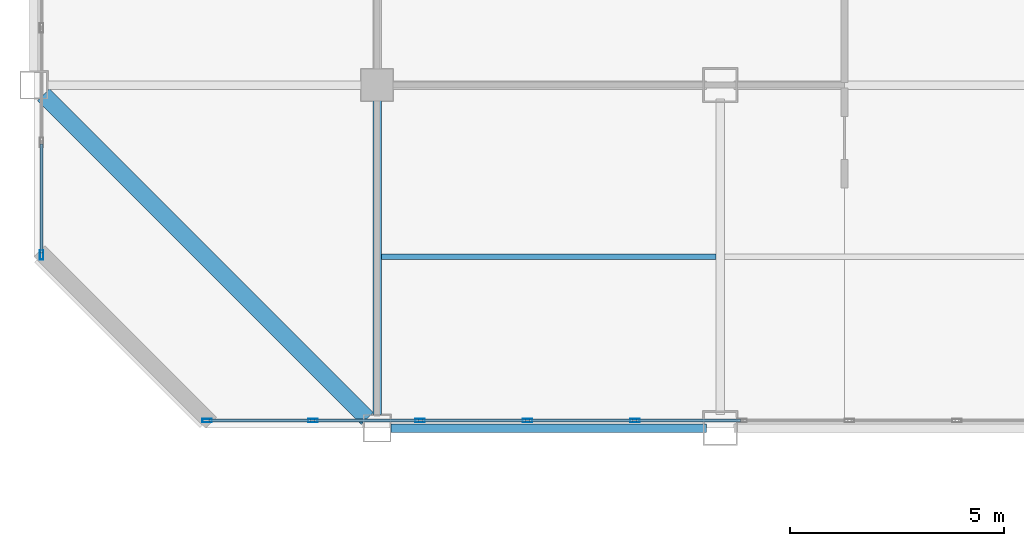
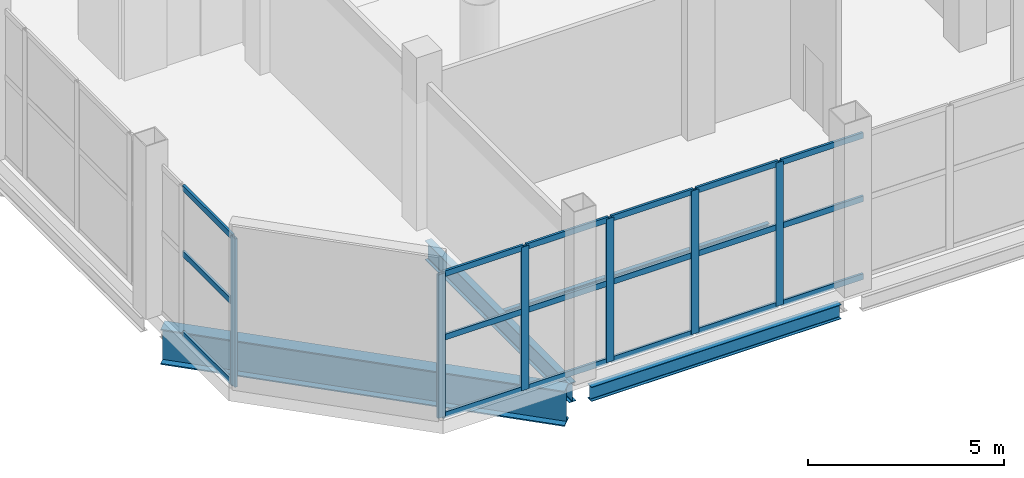
# One storey, part 2 of 17: 24 members, 4 beams, 2 elements without a shape of their own.
"""IFC4 building model written with IfcOpenShell, lengths in metres."""

from ifc_helpers import new_model, si_unit, direction, frame, origin, origin_2d, place, context, subcontext, project, spatial, hollow_rectangle, i_section, extrude, material, layer, layer_set, material_profile, profile_set, type_object, element, aggregate, save


model = new_model("IFC4")

# Units and contexts
model_context = context("Model", 3, precision=1e-05, world=origin(), true_north=direction((0.0, 1.0)))
body_context = subcontext(model_context, "Body", "Model", "MODEL_VIEW")
ifc_project = project(units=[si_unit("LENGTHUNIT", "METRE"), si_unit("AREAUNIT", "SQUARE_METRE"), si_unit("VOLUMEUNIT", "CUBIC_METRE"), si_unit("PLANEANGLEUNIT", "RADIAN"), si_unit("MASSUNIT", "GRAM", prefix="KILO")], contexts=[model_context])

# Site, building, storey
site_placement = place(None, origin())
site = spatial("IfcSite", under=ifc_project, at=site_placement, CompositionType="ELEMENT")
building_placement = place(site_placement, origin())
building = spatial("IfcBuilding", under=site, at=building_placement, Name="Qianrong Seaharbour Tower", CompositionType="ELEMENT")
storey_placement = place(building_placement, frame((0.0, 0.0, 373.0)))
storey = spatial("IfcBuildingStorey", under=building, at=storey_placement, Name="L90", CompositionType="ELEMENT", Elevation=373.0)

# Beams
ifc_material_1 = material(Name="Structural steel SN490B", Category="steel")
ifc_material_profile_1 = material_profile(ifc_material_1, i_section(OverallWidth=0.199951171875, OverallDepth=0.60009765625, WebThickness=0.010986328125, FlangeThickness=0.01708984375, FilletRadius=0.02197265625, at=origin_2d()), Name="H600x200x11x17")
ifc_profile_set_1 = profile_set([ifc_material_profile_1], Name="Structural steel SN490B")
beam_type_1 = type_object("IfcBeamType", Name="BM-G-600", PredefinedType="BEAM", material=ifc_profile_set_1)
beam_1_placement = place(storey_placement, frame((24.5, 28.320068359375, -0.7099609375), z_axis=(0.0, 1.0, 0.0), x_axis=(-1.0, 0.0, 0.0)))
element("IfcBeam", 1, at=beam_1_placement, inside=storey, type_object=beam_type_1, Name="L90 Primary Girder G4 GE-GF", PredefinedType="BEAM", context=body_context, shape_type="SweptSolid", body=[
    extrude(i_section(OverallWidth=0.199951171875, OverallDepth=0.60009765625, WebThickness=0.010986328125, FlangeThickness=0.01708984375, FilletRadius=0.02197265625, at=origin_2d()), origin(), (0.0, 0.0, 1.0), 7.35986328125),
])
ifc_material_2 = material(Name="Structural steel SN400B", Category="steel")
ifc_material_profile_2 = material_profile(ifc_material_2, i_section(OverallWidth=0.125, OverallDepth=0.25, WebThickness=0.006103515625, FlangeThickness=0.009033203125, FilletRadius=0.011962890625, at=origin_2d()), Name="H250x125x6x9")
ifc_profile_set_2 = profile_set([ifc_material_profile_2], Name="Structural steel SN400B")
beam_type_2 = type_object("IfcBeamType", Name="BM-J-250", PredefinedType="JOIST", material=ifc_profile_set_2)
beam_2_placement = place(storey_placement, frame((24.60009765625, 32.0, -0.534912109375), z_axis=(1.0, 0.0, 0.0), x_axis=(0.0, 1.0, 0.0)))
element("IfcBeam", 2, at=beam_2_placement, inside=storey, type_object=beam_type_2, Name="L90 Composite Floor Joist G4-G5/GE-GF", PredefinedType="JOIST", context=body_context, shape_type="SweptSolid", body=[
    extrude(i_section(OverallWidth=0.125, OverallDepth=0.25, WebThickness=0.006103515625, FlangeThickness=0.009033203125, FilletRadius=0.011962890625, at=origin_2d()), origin(), (0.0, 0.0, 1.0), 7.7998046875),
])
ifc_material_profile_3 = material_profile(ifc_material_2, i_section(OverallWidth=0.199951171875, OverallDepth=0.449951171875, WebThickness=0.009033203125, FlangeThickness=0.013916015625, FilletRadius=0.01806640625, at=origin_2d()), Name="H450x200x9x14")
ifc_profile_set_3 = profile_set([ifc_material_profile_3], Name="Structural steel SN400B")
beam_type_3 = type_object("IfcBeamType", Name="BM-SP-450", PredefinedType="SPANDREL", material=ifc_profile_set_3)
beam_3_placement = place(storey_placement, frame((24.820068359375, 28.0, -0.635009765625), z_axis=(1.0, 0.0, 0.0), x_axis=(0.0, 1.0, 0.0)))
element("IfcBeam", 3, at=beam_3_placement, inside=storey, type_object=beam_type_3, Name="L90 Spandrel Girder GE G4-G5", PredefinedType="SPANDREL", context=body_context, shape_type="SweptSolid", body=[
    extrude(i_section(OverallWidth=0.199951171875, OverallDepth=0.449951171875, WebThickness=0.009033203125, FlangeThickness=0.013916015625, FilletRadius=0.01806640625, at=origin_2d()), origin(), (0.0, 0.0, 1.0), 7.35986328125),
])
ifc_material_profile_4 = material_profile(ifc_material_1, i_section(OverallWidth=0.39990234375, OverallDepth=1.10009765625, WebThickness=0.02001953125, FlangeThickness=0.035888671875, at=origin_2d()), Name="BH1100x400x20x36")
ifc_profile_set_4 = profile_set([ifc_material_profile_4], Name="Structural steel SN490B")
beam_type_4 = type_object("IfcBeamType", Name="BM-TG-1100", PredefinedType="BEAM", material=ifc_profile_set_4)
beam_4_placement = place(storey_placement, frame((24.273681640625, 28.226318359375, -0.9599609375), z_axis=(-0.707106781187, 0.707106781187, 0.0), x_axis=(-0.707106781187, -0.707106781187, 0.0)))
element("IfcBeam", 4, at=beam_4_placement, inside=storey, type_object=beam_type_4, Name="L90 Chamfer Corner Spandrel Girder G3/GE", PredefinedType="BEAM", context=body_context, shape_type="SweptSolid", body=[
    extrude(i_section(OverallWidth=0.39990234375, OverallDepth=1.10009765625, WebThickness=0.02001953125, FlangeThickness=0.035888671875, at=origin_2d()), origin(), (0.0, 0.0, 1.0), 10.673583984375),
])

# Curtain wall, members
ifc_material_3 = material(Name="Anodised aluminium 6063-T6 and laminated low-e glass", Category="aluminium")
ifc_layer = layer(ifc_material_3, 0.239990234375)
ifc_layer_set = layer_set([ifc_layer], Name="Anodised aluminium 6063-T6 and laminated low-e glass")
curtain_wall_type = type_object("IfcCurtainWallType", Name="CW-SYS-6", PredefinedType="NOTDEFINED", material=ifc_layer_set)
curtain_wall_1_placement = place(storey_placement, origin())
curtain_wall_1 = element("IfcCurtainWall", 5, at=curtain_wall_1_placement, inside=storey, type_object=curtain_wall_type, Name="L90 TMD Exhibition Lantern Translucent Curtain Wall HARBOUR_RIBBON", PredefinedType="NOTDEFINED")
ifc_material_4 = material(Name="Extruded aluminium 6063-T6", Category="aluminium")
ifc_material_profile_5 = material_profile(ifc_material_4, hollow_rectangle(XDim=0.080078125, YDim=0.219970703125, WallThickness=0.0048828125, at=origin_2d()), Name="ALU-MUL-220x80x5")
ifc_profile_set_5 = profile_set([ifc_material_profile_5], Name="Extruded aluminium 6063-T6")
member_type_1 = type_object("IfcMemberType", Name="CW-MUL-220", PredefinedType="MULLION", material=ifc_profile_set_5)
member_1_placement = place(storey_placement, frame((30.510009765625, 28.179931640625, 0.0), z_axis=(0.0, 0.0, 1.0), x_axis=(0.0, -1.0, 0.0)))
member_1 = element("IfcMember", 6, at=member_1_placement, type_object=member_type_1, Name="CW-6 mullion 5", PredefinedType="MULLION", context=body_context, shape_type="SweptSolid", body=[
    extrude(hollow_rectangle(XDim=0.080078125, YDim=0.219970703125, WallThickness=0.0048828125, at=origin_2d()), origin(), (0.0, 0.0, 1.0), 4.469970703125),
])
member_2_placement = place(storey_placement, frame((28.007568359375, 28.179931640625, 0.0), z_axis=(0.0, 0.0, 1.0), x_axis=(0.0, -1.0, 0.0)))
member_2 = element("IfcMember", 7, at=member_2_placement, type_object=member_type_1, Name="CW-6 mullion 6", PredefinedType="MULLION", context=body_context, shape_type="SweptSolid", body=[
    extrude(hollow_rectangle(XDim=0.080078125, YDim=0.219970703125, WallThickness=0.0048828125, at=origin_2d()), origin(), (0.0, 0.0, 1.0), 4.469970703125),
])
member_3_placement = place(storey_placement, frame((25.5048828125, 28.179931640625, 0.0), z_axis=(0.0, 0.0, 1.0), x_axis=(0.0, -1.0, 0.0)))
member_3 = element("IfcMember", 8, at=member_3_placement, type_object=member_type_1, Name="CW-6 mullion 7", PredefinedType="MULLION", context=body_context, shape_type="SweptSolid", body=[
    extrude(hollow_rectangle(XDim=0.080078125, YDim=0.219970703125, WallThickness=0.0048828125, at=origin_2d()), origin(), (0.0, 0.0, 1.0), 4.469970703125),
])
member_4_placement = place(storey_placement, frame((23.00244140625, 28.179931640625, 0.0), z_axis=(0.0, 0.0, 1.0), x_axis=(0.0, -1.0, 0.0)))
member_4 = element("IfcMember", 9, at=member_4_placement, type_object=member_type_1, Name="CW-6 mullion 8", PredefinedType="MULLION", context=body_context, shape_type="SweptSolid", body=[
    extrude(hollow_rectangle(XDim=0.080078125, YDim=0.219970703125, WallThickness=0.0048828125, at=origin_2d()), origin(), (0.0, 0.0, 1.0), 4.469970703125),
])
member_5_placement = place(storey_placement, frame((20.5400390625, 28.179931640625, 0.0), z_axis=(0.0, 0.0, 1.0), x_axis=(0.0, -1.0, 0.0)))
member_5 = element("IfcMember", 10, at=member_5_placement, type_object=member_type_1, Name="CW-6 mullion 9", PredefinedType="MULLION", context=body_context, shape_type="SweptSolid", body=[
    extrude(hollow_rectangle(XDim=0.080078125, YDim=0.219970703125, WallThickness=0.0048828125, at=origin_2d()), origin(), (0.0, 0.0, 1.0), 4.469970703125),
])

# Curtain wall, member
curtain_wall_2_placement = place(storey_placement, origin())
curtain_wall_2 = element("IfcCurtainWall", 11, at=curtain_wall_2_placement, inside=storey, type_object=curtain_wall_type, Name="L90 TMD Exhibition Lantern Translucent Curtain Wall WEST_TIP", PredefinedType="NOTDEFINED")
member_6_placement = place(storey_placement, frame((16.679931640625, 32.0400390625, 0.0), z_axis=(0.0, 0.0, 1.0), x_axis=(-1.0, 0.0, 0.0)))
member_6 = element("IfcMember", 12, at=member_6_placement, type_object=member_type_1, Name="CW-6 mullion 1", PredefinedType="MULLION", context=body_context, shape_type="SweptSolid", body=[
    extrude(hollow_rectangle(XDim=0.080078125, YDim=0.219970703125, WallThickness=0.0048828125, at=origin_2d()), origin(), (0.0, 0.0, 1.0), 4.6201171875),
])

# Member
ifc_material_profile_6 = material_profile(ifc_material_4, hollow_rectangle(XDim=0.070068359375, YDim=0.179931640625, WallThickness=0.00390625, at=origin_2d()), Name="ALU-TRN-180x70x4")
ifc_profile_set_6 = profile_set([ifc_material_profile_6], Name="Extruded aluminium 6063-T6")
member_type_2 = type_object("IfcMemberType", Name="CW-TRN-180", PredefinedType="USERDEFINED", material=ifc_profile_set_6)
member_7_placement = place(storey_placement, frame((32.972412109375, 28.179931640625, 0.034912109375), z_axis=(-1.0, 0.0, 0.0), x_axis=(0.0, -1.0, 0.0)))
member_7 = element("IfcMember", 13, at=member_7_placement, type_object=member_type_2, Name="CW-6 transom 4.1", ObjectType="TRANSOM", PredefinedType="USERDEFINED", context=body_context, shape_type="SweptSolid", body=[
    extrude(hollow_rectangle(XDim=0.070068359375, YDim=0.179931640625, WallThickness=0.00390625, at=origin_2d()), origin(), (0.0, 0.0, 1.0), 2.42236328125),
])

member_8_placement = place(storey_placement, frame((32.972412109375, 28.179931640625, 2.45849609375), z_axis=(-1.0, 0.0, 0.0), x_axis=(0.0, -1.0, 0.0)))
member_8 = element("IfcMember", 14, at=member_8_placement, type_object=member_type_2, Name="CW-6 transom 4.2", ObjectType="TRANSOM", PredefinedType="USERDEFINED", context=body_context, shape_type="SweptSolid", body=[
    extrude(hollow_rectangle(XDim=0.070068359375, YDim=0.179931640625, WallThickness=0.00390625, at=origin_2d()), origin(), (0.0, 0.0, 1.0), 2.42236328125),
])

member_9_placement = place(storey_placement, frame((32.972412109375, 28.179931640625, 4.43505859375), z_axis=(-1.0, 0.0, 0.0), x_axis=(0.0, -1.0, 0.0)))
member_9 = element("IfcMember", 15, at=member_9_placement, type_object=member_type_2, Name="CW-6 transom 4.3", ObjectType="TRANSOM", PredefinedType="USERDEFINED", context=body_context, shape_type="SweptSolid", body=[
    extrude(hollow_rectangle(XDim=0.070068359375, YDim=0.179931640625, WallThickness=0.00390625, at=origin_2d()), origin(), (0.0, 0.0, 1.0), 2.42236328125),
])

member_10_placement = place(storey_placement, frame((30.469970703125, 28.179931640625, 0.034912109375), z_axis=(-1.0, 0.0, 0.0), x_axis=(0.0, -1.0, 0.0)))
member_10 = element("IfcMember", 16, at=member_10_placement, type_object=member_type_2, Name="CW-6 transom 5.1", ObjectType="TRANSOM", PredefinedType="USERDEFINED", context=body_context, shape_type="SweptSolid", body=[
    extrude(hollow_rectangle(XDim=0.070068359375, YDim=0.179931640625, WallThickness=0.00390625, at=origin_2d()), origin(), (0.0, 0.0, 1.0), 2.42236328125),
])

member_11_placement = place(storey_placement, frame((30.469970703125, 28.179931640625, 2.45849609375), z_axis=(-1.0, 0.0, 0.0), x_axis=(0.0, -1.0, 0.0)))
member_11 = element("IfcMember", 17, at=member_11_placement, type_object=member_type_2, Name="CW-6 transom 5.2", ObjectType="TRANSOM", PredefinedType="USERDEFINED", context=body_context, shape_type="SweptSolid", body=[
    extrude(hollow_rectangle(XDim=0.070068359375, YDim=0.179931640625, WallThickness=0.00390625, at=origin_2d()), origin(), (0.0, 0.0, 1.0), 2.42236328125),
])

member_12_placement = place(storey_placement, frame((30.469970703125, 28.179931640625, 4.43505859375), z_axis=(-1.0, 0.0, 0.0), x_axis=(0.0, -1.0, 0.0)))
member_12 = element("IfcMember", 18, at=member_12_placement, type_object=member_type_2, Name="CW-6 transom 5.3", ObjectType="TRANSOM", PredefinedType="USERDEFINED", context=body_context, shape_type="SweptSolid", body=[
    extrude(hollow_rectangle(XDim=0.070068359375, YDim=0.179931640625, WallThickness=0.00390625, at=origin_2d()), origin(), (0.0, 0.0, 1.0), 2.42236328125),
])

member_13_placement = place(storey_placement, frame((27.967529296875, 28.179931640625, 0.034912109375), z_axis=(-1.0, 0.0, 0.0), x_axis=(0.0, -1.0, 0.0)))
member_13 = element("IfcMember", 19, at=member_13_placement, type_object=member_type_2, Name="CW-6 transom 6.1", ObjectType="TRANSOM", PredefinedType="USERDEFINED", context=body_context, shape_type="SweptSolid", body=[
    extrude(hollow_rectangle(XDim=0.070068359375, YDim=0.179931640625, WallThickness=0.00390625, at=origin_2d()), origin(), (0.0, 0.0, 1.0), 2.422607421875),
])

member_14_placement = place(storey_placement, frame((27.967529296875, 28.179931640625, 2.45849609375), z_axis=(-1.0, 0.0, 0.0), x_axis=(0.0, -1.0, 0.0)))
member_14 = element("IfcMember", 20, at=member_14_placement, type_object=member_type_2, Name="CW-6 transom 6.2", ObjectType="TRANSOM", PredefinedType="USERDEFINED", context=body_context, shape_type="SweptSolid", body=[
    extrude(hollow_rectangle(XDim=0.070068359375, YDim=0.179931640625, WallThickness=0.00390625, at=origin_2d()), origin(), (0.0, 0.0, 1.0), 2.422607421875),
])

member_15_placement = place(storey_placement, frame((27.967529296875, 28.179931640625, 4.43505859375), z_axis=(-1.0, 0.0, 0.0), x_axis=(0.0, -1.0, 0.0)))
member_15 = element("IfcMember", 21, at=member_15_placement, type_object=member_type_2, Name="CW-6 transom 6.3", ObjectType="TRANSOM", PredefinedType="USERDEFINED", context=body_context, shape_type="SweptSolid", body=[
    extrude(hollow_rectangle(XDim=0.070068359375, YDim=0.179931640625, WallThickness=0.00390625, at=origin_2d()), origin(), (0.0, 0.0, 1.0), 2.422607421875),
])

member_16_placement = place(storey_placement, frame((25.465087890625, 28.179931640625, 0.034912109375), z_axis=(-1.0, 0.0, 0.0), x_axis=(0.0, -1.0, 0.0)))
member_16 = element("IfcMember", 22, at=member_16_placement, type_object=member_type_2, Name="CW-6 transom 7.1", ObjectType="TRANSOM", PredefinedType="USERDEFINED", context=body_context, shape_type="SweptSolid", body=[
    extrude(hollow_rectangle(XDim=0.070068359375, YDim=0.179931640625, WallThickness=0.00390625, at=origin_2d()), origin(), (0.0, 0.0, 1.0), 2.422607421875),
])

member_17_placement = place(storey_placement, frame((25.465087890625, 28.179931640625, 2.45849609375), z_axis=(-1.0, 0.0, 0.0), x_axis=(0.0, -1.0, 0.0)))
member_17 = element("IfcMember", 23, at=member_17_placement, type_object=member_type_2, Name="CW-6 transom 7.2", ObjectType="TRANSOM", PredefinedType="USERDEFINED", context=body_context, shape_type="SweptSolid", body=[
    extrude(hollow_rectangle(XDim=0.070068359375, YDim=0.179931640625, WallThickness=0.00390625, at=origin_2d()), origin(), (0.0, 0.0, 1.0), 2.422607421875),
])

member_18_placement = place(storey_placement, frame((25.465087890625, 28.179931640625, 4.43505859375), z_axis=(-1.0, 0.0, 0.0), x_axis=(0.0, -1.0, 0.0)))
member_18 = element("IfcMember", 24, at=member_18_placement, type_object=member_type_2, Name="CW-6 transom 7.3", ObjectType="TRANSOM", PredefinedType="USERDEFINED", context=body_context, shape_type="SweptSolid", body=[
    extrude(hollow_rectangle(XDim=0.070068359375, YDim=0.179931640625, WallThickness=0.00390625, at=origin_2d()), origin(), (0.0, 0.0, 1.0), 2.422607421875),
])

member_19_placement = place(storey_placement, frame((22.96240234375, 28.179931640625, 0.034912109375), z_axis=(-1.0, 0.0, 0.0), x_axis=(0.0, -1.0, 0.0)))
member_19 = element("IfcMember", 25, at=member_19_placement, type_object=member_type_2, Name="CW-6 transom 8.1", ObjectType="TRANSOM", PredefinedType="USERDEFINED", context=body_context, shape_type="SweptSolid", body=[
    extrude(hollow_rectangle(XDim=0.070068359375, YDim=0.179931640625, WallThickness=0.00390625, at=origin_2d()), origin(), (0.0, 0.0, 1.0), 2.38232421875),
])

member_20_placement = place(storey_placement, frame((22.96240234375, 28.179931640625, 2.45849609375), z_axis=(-1.0, 0.0, 0.0), x_axis=(0.0, -1.0, 0.0)))
member_20 = element("IfcMember", 26, at=member_20_placement, type_object=member_type_2, Name="CW-6 transom 8.2", ObjectType="TRANSOM", PredefinedType="USERDEFINED", context=body_context, shape_type="SweptSolid", body=[
    extrude(hollow_rectangle(XDim=0.070068359375, YDim=0.179931640625, WallThickness=0.00390625, at=origin_2d()), origin(), (0.0, 0.0, 1.0), 2.38232421875),
])

member_21_placement = place(storey_placement, frame((22.96240234375, 28.179931640625, 4.43505859375), z_axis=(-1.0, 0.0, 0.0), x_axis=(0.0, -1.0, 0.0)))
member_21 = element("IfcMember", 27, at=member_21_placement, type_object=member_type_2, Name="CW-6 transom 8.3", ObjectType="TRANSOM", PredefinedType="USERDEFINED", context=body_context, shape_type="SweptSolid", body=[
    extrude(hollow_rectangle(XDim=0.070068359375, YDim=0.179931640625, WallThickness=0.00390625, at=origin_2d()), origin(), (0.0, 0.0, 1.0), 2.38232421875),
])

aggregate(curtain_wall_1, [member_1, member_2, member_3, member_4, member_5, member_7, member_8, member_9, member_10, member_11, member_12, member_13, member_14, member_15, member_16, member_17, member_18, member_19, member_20, member_21])

member_22_placement = place(storey_placement, frame((16.679931640625, 32.080078125, 0.034912109375), z_axis=(0.0, 1.0, 0.0), x_axis=(-1.0, 0.0, 0.0)))
member_22 = element("IfcMember", 28, at=member_22_placement, type_object=member_type_2, Name="CW-6 transom 1.1", ObjectType="TRANSOM", PredefinedType="USERDEFINED", context=body_context, shape_type="SweptSolid", body=[
    extrude(hollow_rectangle(XDim=0.070068359375, YDim=0.179931640625, WallThickness=0.00390625, at=origin_2d()), origin(), (0.0, 0.0, 1.0), 2.546630859375),
])

member_23_placement = place(storey_placement, frame((16.679931640625, 32.080078125, 2.541015625), z_axis=(0.0, 1.0, 0.0), x_axis=(-1.0, 0.0, 0.0)))
member_23 = element("IfcMember", 29, at=member_23_placement, type_object=member_type_2, Name="CW-6 transom 1.2", ObjectType="TRANSOM", PredefinedType="USERDEFINED", context=body_context, shape_type="SweptSolid", body=[
    extrude(hollow_rectangle(XDim=0.070068359375, YDim=0.179931640625, WallThickness=0.00390625, at=origin_2d()), origin(), (0.0, 0.0, 1.0), 2.546630859375),
])

member_24_placement = place(storey_placement, frame((16.679931640625, 32.080078125, 4.5849609375), z_axis=(0.0, 1.0, 0.0), x_axis=(-1.0, 0.0, 0.0)))
member_24 = element("IfcMember", 30, at=member_24_placement, type_object=member_type_2, Name="CW-6 transom 1.3", ObjectType="TRANSOM", PredefinedType="USERDEFINED", context=body_context, shape_type="SweptSolid", body=[
    extrude(hollow_rectangle(XDim=0.070068359375, YDim=0.179931640625, WallThickness=0.00390625, at=origin_2d()), origin(), (0.0, 0.0, 1.0), 2.546630859375),
])

aggregate(curtain_wall_2, [member_6, member_22, member_23, member_24])

save(model, "model.ifc")
